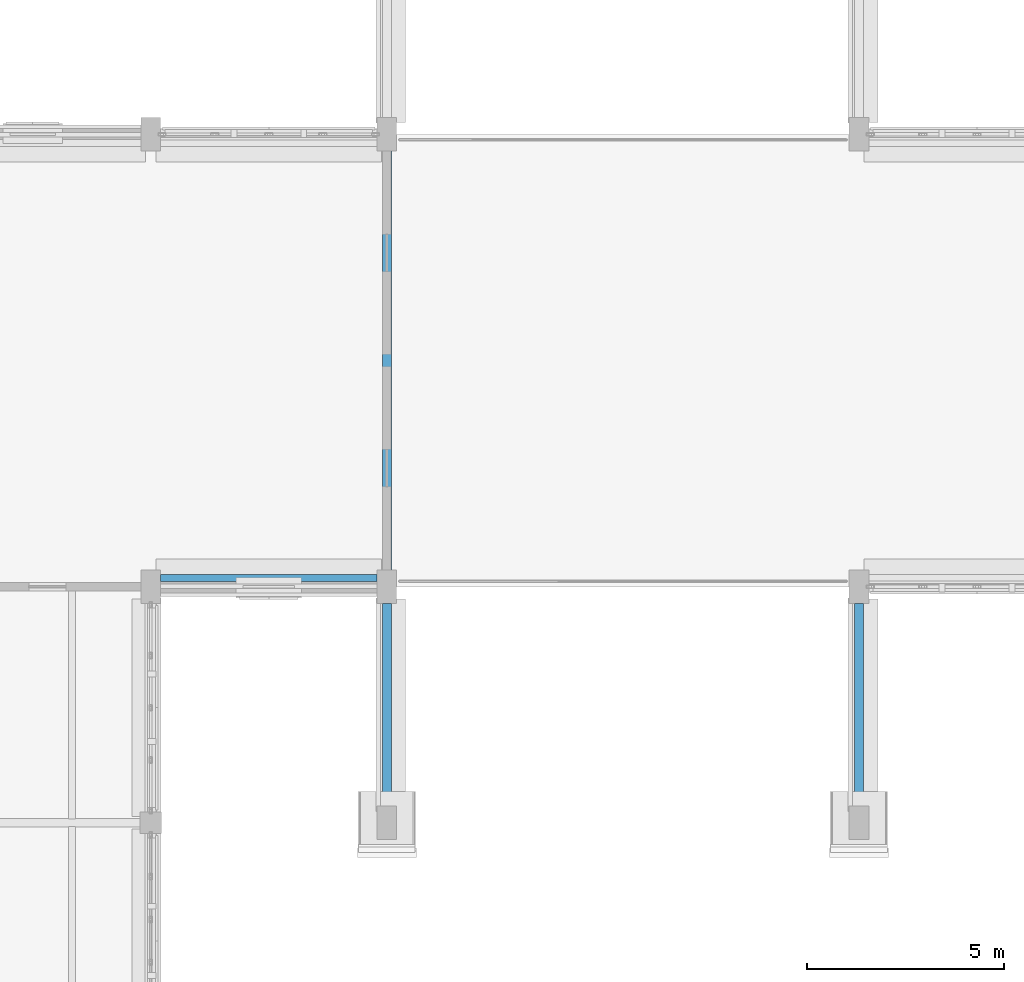
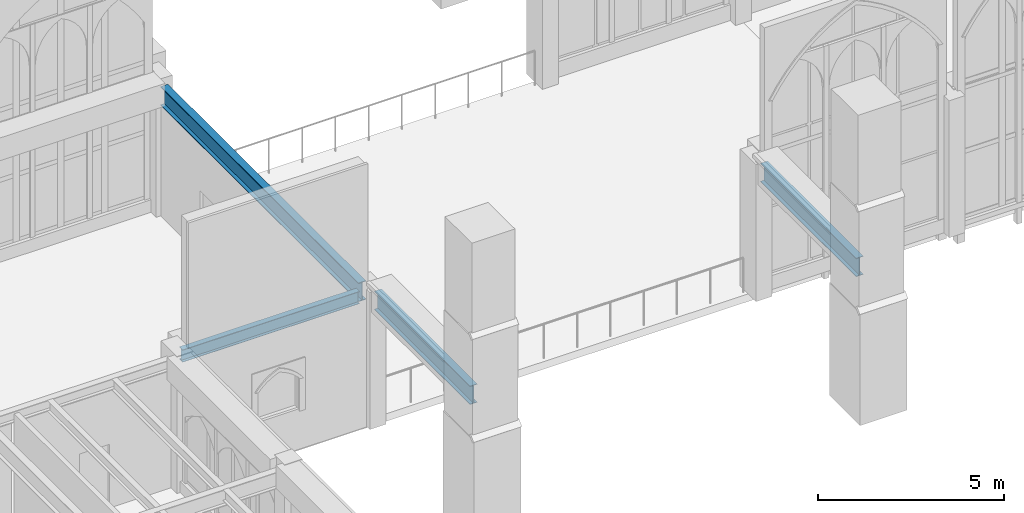
# One storey, part 41 of 108: 4 beams.
"""IFC4 building model written with IfcOpenShell, lengths in metres."""

from ifc_helpers import new_model, si_unit, direction, frame, origin, origin_2d, place, context, subcontext, project, spatial, i_section, extrude, material, material_profile, profile_set, type_object, element, save


model = new_model("IFC4")

# Units and contexts
model_context = context("Model", 3, precision=1e-05, world=origin(), true_north=direction((0.0, 1.0)))
body_context = subcontext(model_context, "Body", "Model", "MODEL_VIEW")
ifc_project = project(units=[si_unit("LENGTHUNIT", "METRE"), si_unit("AREAUNIT", "SQUARE_METRE"), si_unit("VOLUMEUNIT", "CUBIC_METRE"), si_unit("PLANEANGLEUNIT", "RADIAN"), si_unit("MASSUNIT", "GRAM", prefix="KILO")], contexts=[model_context])

# Site, building, storey
site_placement = place(None, origin())
site = spatial("IfcSite", under=ifc_project, at=site_placement, CompositionType="ELEMENT")
building_placement = place(site_placement, origin())
building = spatial("IfcBuilding", under=site, at=building_placement, Name="Cumevento Cable Car Station", CompositionType="ELEMENT")
storey_placement = place(building_placement, frame((0.0, 0.0, 13.5)))
storey = spatial("IfcBuildingStorey", under=building, at=storey_placement, Name="L04", CompositionType="ELEMENT", Elevation=13.5)

# Beams
ifc_material_1 = material(Name="Steel ASTM A572 Grade 50", Category="steel")
ifc_material_profile_1 = material_profile(ifc_material_1, i_section(OverallWidth=0.22998046875, OverallDepth=0.616943359375, WebThickness=0.01318359375, FlangeThickness=0.022216796875, at=origin_2d()), Name="W610x140.0")
ifc_profile_set_1 = profile_set([ifc_material_profile_1], Name="Steel ASTM A572 Grade 50")
beam_type_1 = type_object("IfcBeamType", Name="Structural Beam BM-01 W610x140.0", PredefinedType="BEAM", material=ifc_profile_set_1)
beam_1_placement = place(storey_placement, frame((88.0, 45.425048828125, 3.94140625), z_axis=(0.0, 1.0, 0.0), x_axis=(-1.0, 0.0, 0.0)))
element("IfcBeam", 1, at=beam_1_placement, inside=storey, type_object=beam_type_1, Name="Beam BM-01 L04 #1428", PredefinedType="BEAM", context=body_context, shape_type="SweptSolid", body=[
    extrude(i_section(OverallWidth=0.22998046875, OverallDepth=0.616943359375, WebThickness=0.01318359375, FlangeThickness=0.022216796875, at=origin_2d()), origin(), (0.0, 0.0, 1.0), 10.64990234375),
])
ifc_material_2 = material(Name="Steel ASTM A572 Grade 50", Category="steel")
ifc_material_profile_2 = material_profile(ifc_material_2, i_section(OverallWidth=0.22802734375, OverallDepth=0.60791015625, WebThickness=0.01123046875, FlangeThickness=0.017333984375, at=origin_2d()), Name="W610x113.0")
ifc_profile_set_2 = profile_set([ifc_material_profile_2], Name="Steel ASTM A572 Grade 50")
beam_type_2 = type_object("IfcBeamType", Name="Structural Beam BM-02 W610x113.0", PredefinedType="BEAM", material=ifc_profile_set_2)
for number, where, z_axis, x_axis, name in (
    (2, (88.0, 39.425048828125, 4.196044921875), (0.0, 1.0, 0.0), (-1.0, 0.0, 0.0), "South Downhill Foothill Ropeway Cabin Portal Buttress Tie Girder L04 #95"),
    (3, (100.0, 39.425048828125, 4.196044921875), (0.0, 1.0, 0.0), (-1.0, 0.0, 0.0), "South Downhill Foothill Ropeway Cabin Portal Buttress Tie Girder L04 #96"),
):
    element("IfcBeam", number, at=place(storey_placement, frame(where, z_axis=z_axis, x_axis=x_axis)), inside=storey, type_object=beam_type_2, Name=name, PredefinedType="BEAM", context=body_context, shape_type="SweptSolid", body=[
        extrude(i_section(OverallWidth=0.22802734375, OverallDepth=0.60791015625, WebThickness=0.01123046875, FlangeThickness=0.017333984375, at=origin_2d()), origin(), (0.0, 0.0, 1.0), 5.14990234375),
    ])
ifc_material_3 = material(Name="Steel ASTM A572 Grade 50", Category="steel")
ifc_material_profile_3 = material_profile(ifc_material_3, i_section(OverallWidth=0.177978515625, OverallDepth=0.406982421875, WebThickness=0.0078125, FlangeThickness=0.0126953125, at=origin_2d()), Name="W410x60.0")
ifc_profile_set_3 = profile_set([ifc_material_profile_3], Name="Steel ASTM A572 Grade 50")
beam_type_3 = type_object("IfcBeamType", Name="Structural Spandrel SP-01 W410x60.0", PredefinedType="SPANDREL", material=ifc_profile_set_3)
beam_2_placement = place(storey_placement, frame((82.25, 45.219970703125, 4.00048828125), z_axis=(1.0, 0.0, 0.0), x_axis=(0.0, 1.0, 0.0)))
element("IfcBeam", 4, at=beam_2_placement, inside=storey, type_object=beam_type_3, Name="Beam SP-01 L04 #1423", PredefinedType="SPANDREL", context=body_context, shape_type="SweptSolid", body=[
    extrude(i_section(OverallWidth=0.177978515625, OverallDepth=0.406982421875, WebThickness=0.0078125, FlangeThickness=0.0126953125, at=origin_2d()), origin(), (0.0, 0.0, 1.0), 5.5),
])

save(model, "model.ifc")
